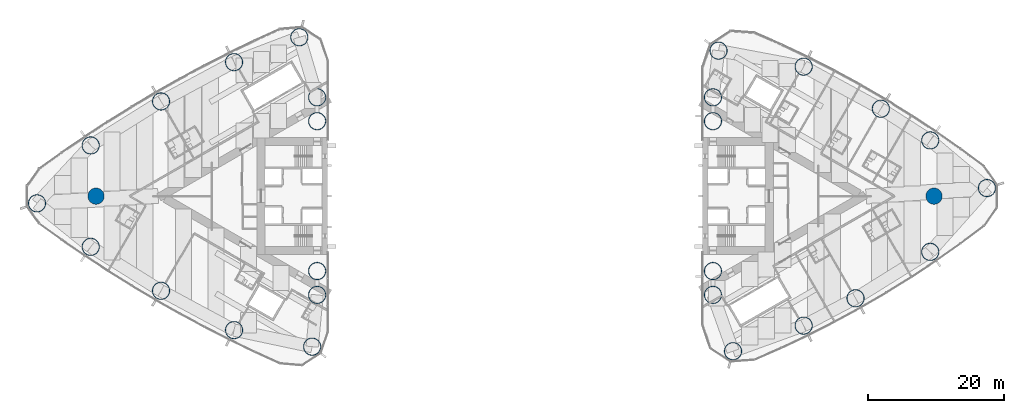
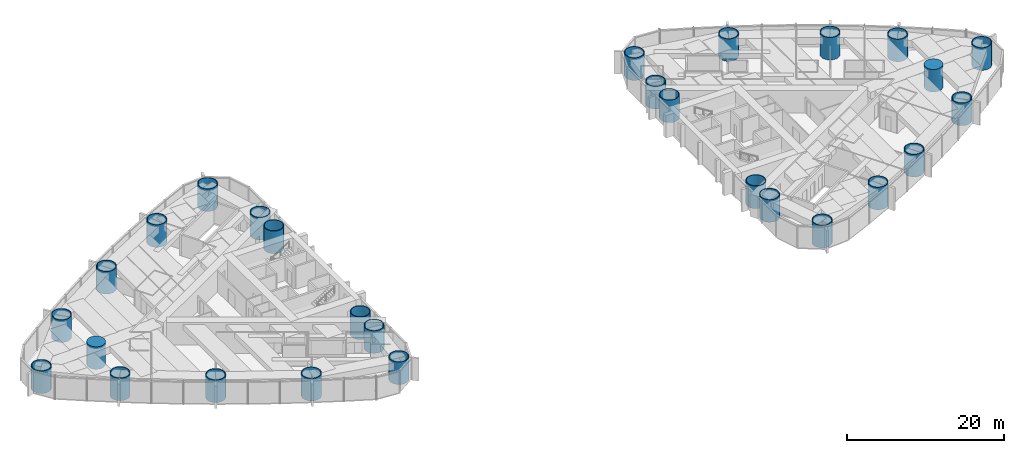
# One storey, part 1 of 19: 28 columns.
"""IFC4 building model written with IfcOpenShell, lengths in metres."""

from ifc_helpers import new_model, si_unit, direction, frame, origin, origin_2d, place, context, subcontext, project, spatial, circle, hollow_circle, extrude, material, material_profile, profile_set, type_object, element, save


model = new_model("IFC4")

# Units and contexts
model_context = context("Model", 3, precision=1e-05, world=origin(), true_north=direction((0.0, 1.0)))
body_context = subcontext(model_context, "Body", "Model", "MODEL_VIEW")
ifc_project = project(units=[si_unit("LENGTHUNIT", "METRE"), si_unit("AREAUNIT", "SQUARE_METRE"), si_unit("VOLUMEUNIT", "CUBIC_METRE"), si_unit("PLANEANGLEUNIT", "RADIAN"), si_unit("MASSUNIT", "GRAM", prefix="KILO")], contexts=[model_context])

# Site, building, storey
site_placement = place(None, origin())
site = spatial("IfcSite", under=ifc_project, at=site_placement, CompositionType="ELEMENT")
building_placement = place(site_placement, origin())
building = spatial("IfcBuilding", under=site, at=building_placement, Name="Lancet Gate Hotel", CompositionType="ELEMENT")
storey_placement = place(building_placement, frame((0.0, 0.0, 111.60009765625)))
storey = spatial("IfcBuildingStorey", under=building, at=storey_placement, Name="L29", CompositionType="ELEMENT", Elevation=111.60009765625)

# Columns
ifc_material_1 = material(Name="Concrete C80/95", Category="concrete")
ifc_material_profile_1 = material_profile(ifc_material_1, circle(Radius=1.199951171875, at=origin_2d()), Name="RC D2400")
ifc_profile_set_1 = profile_set([ifc_material_profile_1], Name="Concrete C80/95")
column_type_1 = type_object("IfcColumnType", Name="Apex column RC D2400", PredefinedType="COLUMN", material=ifc_profile_set_1)
for number, where, z_axis, x_axis, name in (
    (1, (-61.5, 0.0, 0.0), (0.0, 0.0, 1.0), (1.0, 0.0, 0.0), "T1 column AX L29"),
    (2, (61.5, 0.0, 0.0), (0.0, 0.0, 1.0), (1.0, 0.0, 0.0), "T2 column AX L29"),
):
    element("IfcColumn", number, at=place(storey_placement, frame(where, z_axis=z_axis, x_axis=x_axis)), inside=storey, type_object=column_type_1, Name=name, PredefinedType="COLUMN", context=body_context, shape_type="SweptSolid", body=[
        extrude(circle(Radius=1.199951171875, at=origin_2d()), origin(), (0.0, 0.0, 1.0), 3.5),
    ])
ifc_material_2 = material(Name="Composite filled tube, grade 460 plate, grade 80/95 fill", Category="composite")
ifc_material_profile_2 = material_profile(ifc_material_2, hollow_circle(Radius=1.300048828125, WallThickness=0.10009765625, at=origin_2d()), Name="CHS 2600x100")
ifc_profile_set_2 = profile_set([ifc_material_profile_2], Name="Composite filled tube, grade 460 plate, grade 80/95 fill")
column_type_2 = type_object("IfcColumnType", Name="Apex corner column CFT CHS 2600x100", PredefinedType="COLUMN", material=ifc_profile_set_2)
for number, where, z_axis, x_axis, name in (
    (3, (-70.16796875, -1.06005859375, 0.0), (0.0, 0.0, 1.0), (1.0, 0.0, 0.0), "T1 column CA L29"),
    (4, (69.268798828125, 1.1865234375, 0.0), (0.0, 0.0, 1.0), (1.0, 0.0, 0.0), "T2 column CA L29"),
):
    element("IfcColumn", number, at=place(storey_placement, frame(where, z_axis=z_axis, x_axis=x_axis)), inside=storey, type_object=column_type_2, Name=name, PredefinedType="COLUMN", context=body_context, shape_type="SweptSolid", body=[
        extrude(hollow_circle(Radius=1.300048828125, WallThickness=0.10009765625, at=origin_2d()), origin(), (0.0, 0.0, 1.0), 3.5),
    ])
ifc_material_3 = material(Name="Composite filled tube, grade 460 plate, grade 80/95 fill", Category="composite")
ifc_material_profile_3 = material_profile(ifc_material_3, hollow_circle(Radius=1.300048828125, WallThickness=0.10009765625, at=origin_2d()), Name="CHS 2600x100")
ifc_profile_set_3 = profile_set([ifc_material_profile_3], Name="Composite filled tube, grade 460 plate, grade 80/95 fill")
column_type_3 = type_object("IfcColumnType", Name="Perimeter column CFT CHS 2600x100", PredefinedType="COLUMN", material=ifc_profile_set_3)
for number, where, z_axis, x_axis, name in (
    (5, (-29.781005859375, -22.0947265625, 0.0), (0.0, 0.0, 1.0), (1.0, 0.0, 0.0), "T1 column CN L29"),
    (6, (-31.66455078125, 23.318359375, 0.0), (0.0, 0.0, 1.0), (1.0, 0.0, 0.0), "T1 column CS L29"),
    (7, (-29.050048828125, -11.0, 0.0), (0.0, 0.0, 1.0), (1.0, 0.0, 0.0), "T1 column IN L29"),
    (8, (-29.050048828125, 11.0, 0.0), (0.0, 0.0, 1.0), (1.0, 0.0, 0.0), "T1 column IS L29"),
    (9, (-29.050048828125, 14.5, 0.0), (0.0, 0.0, 1.0), (1.0, 0.0, 0.0), "T1 column IT L29"),
    (10, (-29.050048828125, -14.5, 0.0), (0.0, 0.0, 1.0), (1.0, 0.0, 0.0), "T1 column JT L29"),
    (11, (-62.28662109375, -7.444580078125, 0.0), (0.0, 0.0, 1.0), (1.0, 0.0, 0.0), "T1 column ON1 L29"),
    (12, (-51.963134765625, -13.89501953125, 0.0), (0.0, 0.0, 1.0), (1.0, 0.0, 0.0), "T1 column ON2 L29"),
    (13, (-41.244873046875, -19.665771484375, 0.0), (0.0, 0.0, 1.0), (1.0, 0.0, 0.0), "T1 column ON3 L29"),
    (14, (-41.244873046875, 19.665771484375, 0.0), (0.0, 0.0, 1.0), (1.0, 0.0, 0.0), "T1 column OS1 L29"),
    (15, (-51.963134765625, 13.89501953125, 0.0), (0.0, 0.0, 1.0), (1.0, 0.0, 0.0), "T1 column OS2 L29"),
    (16, (-62.28662109375, 7.444580078125, 0.0), (0.0, 0.0, 1.0), (1.0, 0.0, 0.0), "T1 column OS3 L29"),
    (17, (29.8720703125, 21.35498046875, 0.0), (0.0, 0.0, 1.0), (1.0, 0.0, 0.0), "T2 column CN L29"),
    (18, (31.99609375, -22.76318359375, 0.0), (0.0, 0.0, 1.0), (1.0, 0.0, 0.0), "T2 column CS L29"),
    (19, (29.050048828125, 11.0, 0.0), (0.0, 0.0, 1.0), (1.0, 0.0, 0.0), "T2 column IN L29"),
    (20, (29.050048828125, -11.0, 0.0), (0.0, 0.0, 1.0), (1.0, 0.0, 0.0), "T2 column IS L29"),
    (21, (29.050048828125, -14.5, 0.0), (0.0, 0.0, 1.0), (1.0, 0.0, 0.0), "T2 column IT L29"),
    (22, (29.050048828125, 14.5, 0.0), (0.0, 0.0, 1.0), (1.0, 0.0, 0.0), "T2 column JT L29"),
    (23, (60.940673828125, 8.18115234375, 0.0), (0.0, 0.0, 1.0), (1.0, 0.0, 0.0), "T2 column ON1 L29"),
    (24, (53.697021484375, 12.827392578125, 0.0), (0.0, 0.0, 1.0), (1.0, 0.0, 0.0), "T2 column ON2 L29"),
    (25, (42.3662109375, 19.007080078125, 0.0), (0.0, 0.0, 1.0), (1.0, 0.0, 0.0), "T2 column ON3 L29"),
    (26, (42.3662109375, -19.007080078125, 0.0), (0.0, 0.0, 1.0), (1.0, 0.0, 0.0), "T2 column OS1 L29"),
    (27, (49.97900390625, -14.994384765625, 0.0), (0.0, 0.0, 1.0), (1.0, 0.0, 0.0), "T2 column OS2 L29"),
    (28, (60.940673828125, -8.18115234375, 0.0), (0.0, 0.0, 1.0), (1.0, 0.0, 0.0), "T2 column OS3 L29"),
):
    element("IfcColumn", number, at=place(storey_placement, frame(where, z_axis=z_axis, x_axis=x_axis)), inside=storey, type_object=column_type_3, Name=name, PredefinedType="COLUMN", context=body_context, shape_type="SweptSolid", body=[
        extrude(hollow_circle(Radius=1.300048828125, WallThickness=0.10009765625, at=origin_2d()), origin(), (0.0, 0.0, 1.0), 3.5),
    ])

save(model, "model.ifc")
